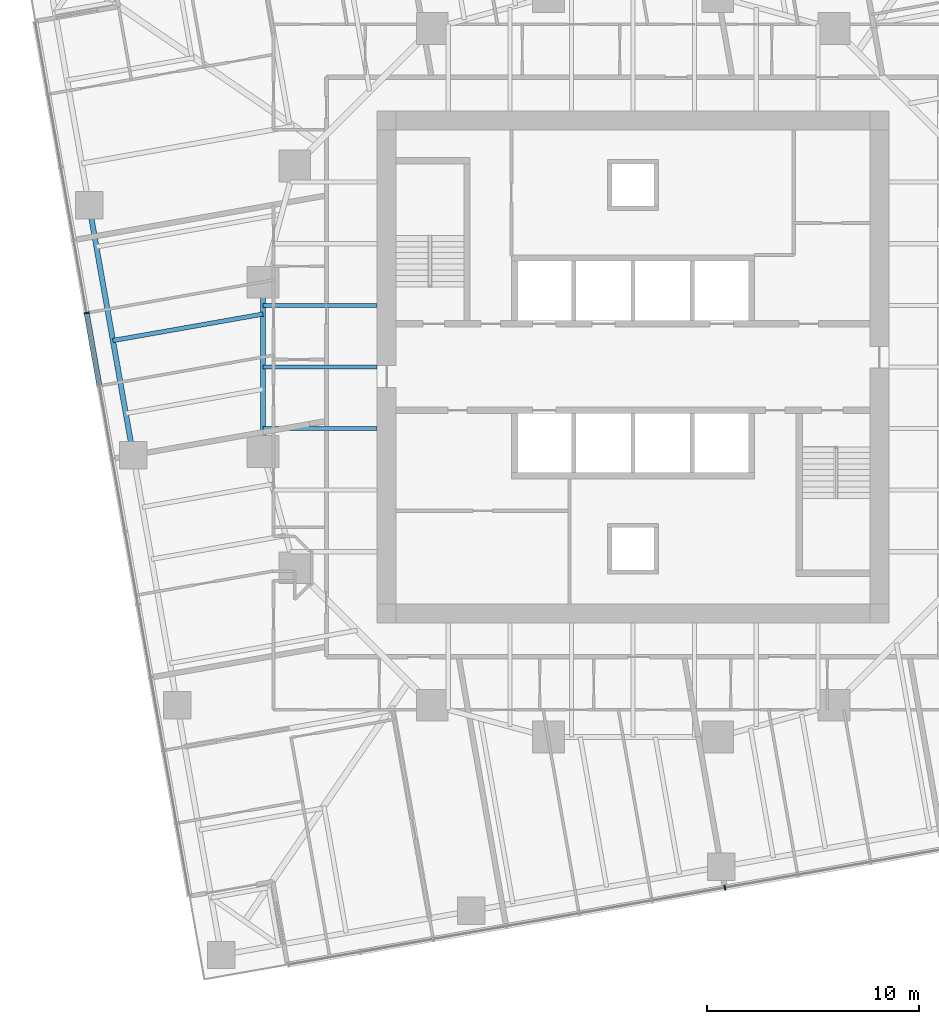
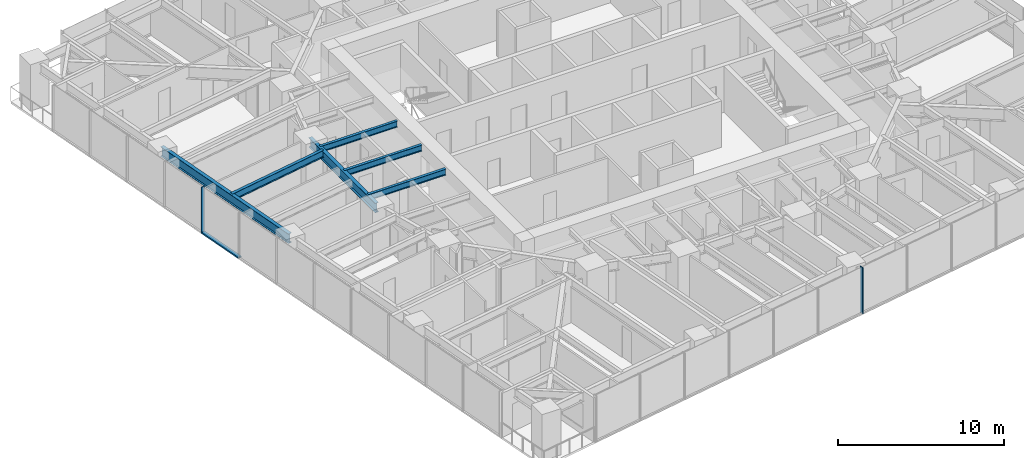
# One storey, part 3 of 14: 6 beams, 3 members, 2 elements without a shape of their own.
"""IFC4 building model written with IfcOpenShell, lengths in metres."""

from ifc_helpers import new_model, si_unit, direction, frame, origin, origin_2d, place, context, subcontext, project, spatial, rectangle, i_section, extrude, material, material_profile, profile_set, type_object, element, aggregate, save


model = new_model("IFC4")

# Units and contexts
model_context = context("Model", 3, precision=1e-05, world=origin(), true_north=direction((0.0, 1.0)))
body_context = subcontext(model_context, "Body", "Model", "MODEL_VIEW")
ifc_project = project(units=[si_unit("LENGTHUNIT", "METRE"), si_unit("AREAUNIT", "SQUARE_METRE"), si_unit("VOLUMEUNIT", "CUBIC_METRE"), si_unit("PLANEANGLEUNIT", "RADIAN"), si_unit("MASSUNIT", "GRAM", prefix="KILO")], contexts=[model_context])

# Site, building, storey
site_placement = place(None, origin())
site = spatial("IfcSite", under=ifc_project, at=site_placement, CompositionType="ELEMENT")
building_placement = place(site_placement, origin())
building = spatial("IfcBuilding", under=site, at=building_placement, Name="Torsade Residences", CompositionType="ELEMENT")
storey_placement = place(building_placement, frame((0.0, 0.0, 93.0)))
storey = spatial("IfcBuildingStorey", under=building, at=storey_placement, Name="L25", CompositionType="ELEMENT", Elevation=93.0)

# Curtain wall, member
ifc_material_1 = material(Name="Aluminium and glass", Category="aluminium")
curtain_wall_type = type_object("IfcCurtainWallType", Name="FRITTED GLASS CURTAIN WALL LOW ZONE", PredefinedType="NOTDEFINED", material=ifc_material_1)
curtain_wall_1_placement = place(storey_placement, origin())
curtain_wall_1 = element("IfcCurtainWall", 1, at=curtain_wall_1_placement, inside=storey, type_object=curtain_wall_type, Name="Curtain wall L25 face 1", PredefinedType="NOTDEFINED")
ifc_material_2 = material(Name="Aluminium mullion", Category="aluminium")
ifc_material_profile_1 = material_profile(ifc_material_2, rectangle(XDim=0.25, YDim=0.06494140625, at=origin_2d()), Name="CURTAIN WALL MULLION 250x65")
ifc_profile_set_1 = profile_set([ifc_material_profile_1], Name="Aluminium mullion")
member_type_1 = type_object("IfcMemberType", Name="CURTAIN WALL MULLION 250x65", PredefinedType="MULLION", material=ifc_profile_set_1)
member_1_placement = place(storey_placement, frame((44.34130859375, 5.3798828125, 0.0), z_axis=(0.0, 0.0, 1.0), x_axis=(-0.173648192638, 0.984807750372, 0.0)))
member_1 = element("IfcMember", 2, at=member_1_placement, type_object=member_type_1, Name="Mullion 7", PredefinedType="MULLION", context=body_context, shape_type="SweptSolid", body=[
    extrude(rectangle(XDim=0.25, YDim=0.06494140625, at=origin_2d()), origin(), (0.0, 0.0, 1.0), 3.39990234375),
])
aggregate(curtain_wall_1, [member_1])

# Curtain wall, members
curtain_wall_2_placement = place(storey_placement, origin())
curtain_wall_2 = element("IfcCurtainWall", 3, at=curtain_wall_2_placement, inside=storey, type_object=curtain_wall_type, Name="Curtain wall L25 face 10", PredefinedType="NOTDEFINED")
member_2_placement = place(storey_placement, frame((14.164306640625, 32.552490234375, 0.0), z_axis=(0.0, 0.0, 1.0), x_axis=(0.984807750372, 0.173648192638, 0.0)))
member_2 = element("IfcMember", 4, at=member_2_placement, type_object=member_type_1, Name="Mullion 5", PredefinedType="MULLION", context=body_context, shape_type="SweptSolid", body=[
    extrude(rectangle(XDim=0.25, YDim=0.06494140625, at=origin_2d()), origin(), (0.0, 0.0, 1.0), 3.39990234375),
])
ifc_material_3 = material(Name="Aluminium transom", Category="aluminium")
ifc_material_profile_2 = material_profile(ifc_material_3, rectangle(XDim=0.25, YDim=0.10009765625, at=origin_2d()), Name="CURTAIN WALL TRANSOM 250x100")
ifc_profile_set_2 = profile_set([ifc_material_profile_2], Name="Aluminium transom")
member_type_2 = type_object("IfcMemberType", Name="CURTAIN WALL TRANSOM 250x100", PredefinedType="USERDEFINED", material=ifc_profile_set_2)
member_3_placement = place(storey_placement, frame((14.169921875, 32.5205078125, 0.050048828125), z_axis=(0.17363531196, -0.984810021497, 0.0), x_axis=(0.984810021497, 0.17363531196, 0.0)))
member_3 = element("IfcMember", 5, at=member_3_placement, type_object=member_type_2, Name="Transom 5.1", ObjectType="TRANSOM", PredefinedType="USERDEFINED", context=body_context, shape_type="SweptSolid", body=[
    extrude(rectangle(XDim=0.25, YDim=0.10009765625, at=origin_2d()), origin(), (0.0, 0.0, 1.0), 3.43505859375),
])
aggregate(curtain_wall_2, [member_2, member_3])

# Beams
ifc_material_4 = material(Name="Steel grade 300", Category="steel")
ifc_material_profile_3 = material_profile(ifc_material_4, i_section(OverallWidth=0.25, OverallDepth=0.699951171875, WebThickness=0.010009765625, FlangeThickness=0.02001953125, at=origin_2d()), Name="700WB130")
ifc_profile_set_3 = profile_set([ifc_material_profile_3], Name="Steel grade 300")
beam_type_1 = type_object("IfcBeamType", Name="EDGE BEAM 700WB130", PredefinedType="SPANDREL", material=ifc_profile_set_3)
beam_1_placement = place(storey_placement, frame((14.28076171875, 37.650146484375, 2.89990234375), z_axis=(0.173646056486, -0.984808127031, 0.0), x_axis=(0.984808127031, 0.173646056486, 0.0)))
element("IfcBeam", 6, at=beam_1_placement, inside=storey, type_object=beam_type_1, Name="Edge beam 14 L26", PredefinedType="SPANDREL", context=body_context, shape_type="SweptSolid", body=[
    extrude(i_section(OverallWidth=0.25, OverallDepth=0.699951171875, WebThickness=0.010009765625, FlangeThickness=0.02001953125, at=origin_2d()), origin(), (0.0, 0.0, 1.0), 12.0),
])
ifc_material_5 = material(Name="Steel grade 300", Category="steel")
ifc_material_profile_4 = material_profile(ifc_material_5, i_section(OverallWidth=0.18994140625, OverallDepth=0.4541015625, WebThickness=0.008544921875, FlangeThickness=0.0126953125, FilletRadius=0.011474609375, at=origin_2d()), Name="460UB67.1")
ifc_profile_set_4 = profile_set([ifc_material_profile_4], Name="Steel grade 300")
beam_type_2 = type_object("IfcBeamType", Name="INNER FLOOR BEAM 460UB67.1", PredefinedType="JOIST", material=ifc_profile_set_4)
for number, where, z_axis, x_axis, name in (
    (7, (27.89990234375, 32.91259765625, 3.02294921875), (-1.0, 0.0, 0.0), (0.0, -1.0, 0.0), "Inner floor beam IW03 L26"),
    (8, (27.89990234375, 30.0, 3.02294921875), (-1.0, 0.0, 0.0), (0.0, -1.0, 0.0), "Inner floor beam IW04 L26"),
    (9, (27.89990234375, 27.08740234375, 3.02294921875), (-1.0, 0.0, 0.0), (0.0, -1.0, 0.0), "Inner floor beam IW05 L26"),
):
    element("IfcBeam", number, at=place(storey_placement, frame(where, z_axis=z_axis, x_axis=x_axis)), inside=storey, type_object=beam_type_2, Name=name, PredefinedType="JOIST", context=body_context, shape_type="SweptSolid", body=[
        extrude(i_section(OverallWidth=0.18994140625, OverallDepth=0.4541015625, WebThickness=0.008544921875, FlangeThickness=0.0126953125, FilletRadius=0.011474609375, at=origin_2d()), origin(), (0.0, 0.0, 1.0), 5.39990234375),
    ])
ifc_material_6 = material(Name="Steel grade 300", Category="steel")
ifc_material_profile_5 = material_profile(ifc_material_6, i_section(OverallWidth=0.25, OverallDepth=0.699951171875, WebThickness=0.010009765625, FlangeThickness=0.02001953125, at=origin_2d()), Name="700WB130")
ifc_profile_set_5 = profile_set([ifc_material_profile_5], Name="Steel grade 300")
beam_type_3 = type_object("IfcBeamType", Name="RING GIRDER 700WB130", PredefinedType="BEAM", material=ifc_profile_set_5)
beam_2_placement = place(storey_placement, frame((22.5, 34.0, 2.89990234375), z_axis=(0.0, -1.0, 0.0), x_axis=(1.0, 0.0, 0.0)))
element("IfcBeam", 10, at=beam_2_placement, inside=storey, type_object=beam_type_3, Name="Ring girder IR09 L26", PredefinedType="BEAM", context=body_context, shape_type="SweptSolid", body=[
    extrude(i_section(OverallWidth=0.25, OverallDepth=0.699951171875, WebThickness=0.010009765625, FlangeThickness=0.02001953125, at=origin_2d()), origin(), (0.0, 0.0, 1.0), 8.0),
])
ifc_material_7 = material(Name="Steel grade 300", Category="steel")
ifc_material_profile_6 = material_profile(ifc_material_7, i_section(OverallWidth=0.208984375, OverallDepth=0.528076171875, WebThickness=0.009521484375, FlangeThickness=0.01318359375, FilletRadius=0.013916015625, at=origin_2d()), Name="530UB82.0")
ifc_profile_set_6 = profile_set([ifc_material_profile_6], Name="Steel grade 300")
beam_type_4 = type_object("IfcBeamType", Name="SECONDARY BEAM 530UB82.0", PredefinedType="JOIST", material=ifc_profile_set_6)
beam_3_placement = place(storey_placement, frame((15.40966796875, 31.248779296875, 2.986083984375), z_axis=(0.984807104535, 0.173651855324, 0.0), x_axis=(-0.173651855324, 0.984807104535, 0.0)))
element("IfcBeam", 11, at=beam_3_placement, inside=storey, type_object=beam_type_4, Name="Floor beam FW05 L26", PredefinedType="JOIST", context=body_context, shape_type="SweptSolid", body=[
    extrude(i_section(OverallWidth=0.208984375, OverallDepth=0.528076171875, WebThickness=0.009521484375, FlangeThickness=0.01318359375, FilletRadius=0.013916015625, at=origin_2d()), origin(), (0.0, 0.0, 1.0), 7.19970703125),
])

save(model, "model.ifc")
